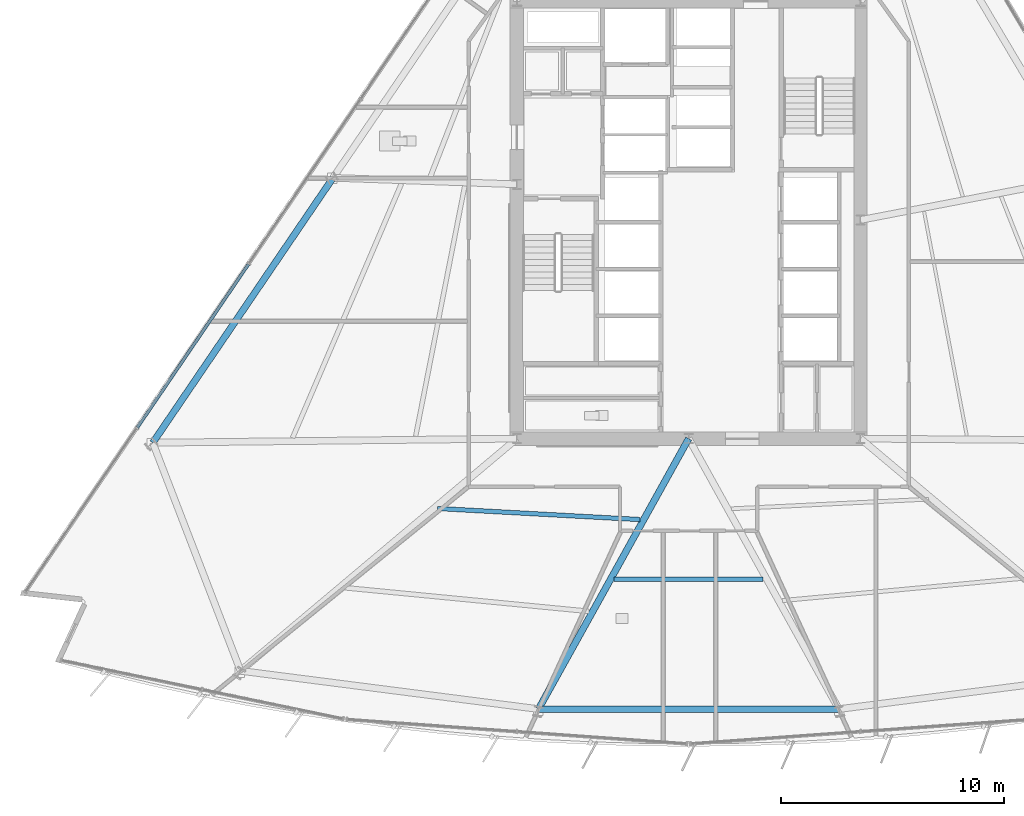
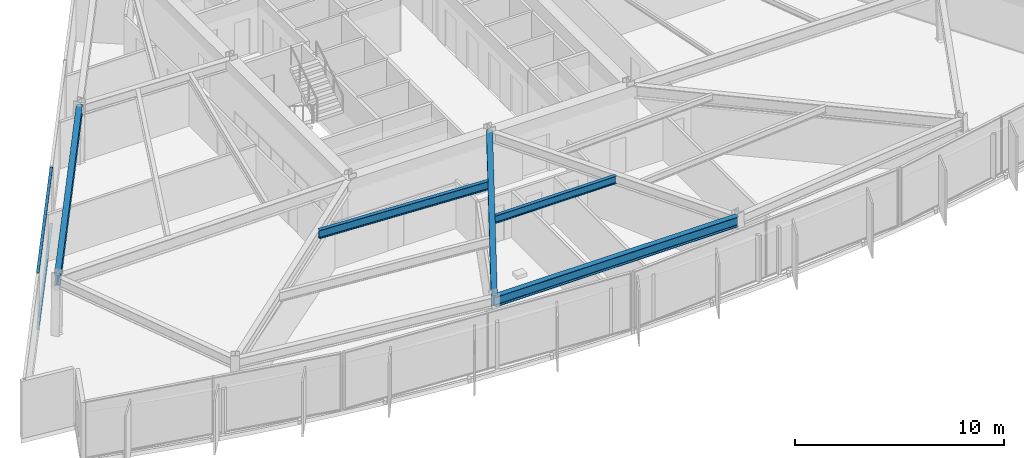
# One storey, part 3 of 18: 5 beams, 2 members, 1 element without a shape of its own.
"""IFC4 building model written with IfcOpenShell, lengths in metres."""

import ifcopenshell
import ifcopenshell.guid

model = None  # the IFC model being written
_history = None  # IfcOwnerHistory: only IFC2X3 demands one
_inside = {}  # id of a spatial element -> (the spatial element, [elements in it])
_under = {}  # id of a project, library or spatial element -> (it, [spatial elements below it])
_declared = {}  # id of a project -> (the project, [libraries it declares])
_typed = {}  # id of a type object -> (the type object, [elements of that type])
_made_of = {}  # id of a material, layer set ... -> (it, [elements and type objects made of it])


def new_model(schema):
    """Start an empty IFC model of exactly this schema.

    Asked for "IFC4X3", IfcOpenShell would pick the latest addendum, in which some entities
    have other attributes; the version numbers below select the first issue.
    IFC2X3 requires an IfcOwnerHistory on every rooted entity: one is made here for all.
    """
    global model, _history
    if schema == "IFC4X3":
        model = ifcopenshell.file(schema_version=(4, 3, 0, 0))
    else:
        model = ifcopenshell.file(schema=schema)
    _inside.clear()
    _under.clear()
    _declared.clear()
    _typed.clear()
    _made_of.clear()
    _history = None
    if model.schema == "IFC2X3":
        org = make("IfcOrganization", Name="unknown")
        user = make(
            "IfcPersonAndOrganization",
            ThePerson=make("IfcPerson", FamilyName="unknown"),
            TheOrganization=org,
        )
        app = make(
            "IfcApplication",
            ApplicationDeveloper=org,
            Version="unknown",
            ApplicationFullName="unknown",
            ApplicationIdentifier="unknown",
        )
        _history = make(
            "IfcOwnerHistory",
            OwningUser=user,
            OwningApplication=app,
            ChangeAction="ADDED",
            CreationDate=0,
        )
    return model


def make(cls, **values):
    """One entity of the class cls with the attributes given. An attribute that is None is left unset."""
    return model.create_entity(
        cls, **{name: value for name, value in values.items() if value is not None}
    )


def rooted(cls, **values):
    """An entity with a GlobalId (a new one), such as an element, a storey or a relation."""
    return make(cls, GlobalId=ifcopenshell.guid.new(), OwnerHistory=_history, **values)


def si_unit(unit_type, name, prefix=None):
    """IfcSIUnit, for example si_unit("LENGTHUNIT", "METRE", prefix="MILLI")."""
    return make("IfcSIUnit", UnitType=unit_type, Prefix=prefix, Name=name)


def assignment(units):
    """IfcUnitAssignment: the units of a project."""
    return None if units is None else make("IfcUnitAssignment", Units=units)


def point(xyz):
    """IfcCartesianPoint."""
    return None if xyz is None else make("IfcCartesianPoint", Coordinates=xyz)


def direction(xyz):
    """IfcDirection."""
    return None if xyz is None else make("IfcDirection", DirectionRatios=xyz)


def frame(location, z_axis=None, x_axis=None):
    """IfcAxis2Placement3D, a coordinate frame: its origin and axes. An axis left out is left unset."""
    return make(
        "IfcAxis2Placement3D",
        Location=point(location),
        Axis=direction(z_axis),
        RefDirection=direction(x_axis),
    )


def frame_2d(location, x_axis=None):
    """IfcAxis2Placement2D, a coordinate frame in the plane: its origin and x axis."""
    return make(
        "IfcAxis2Placement2D", Location=point(location), RefDirection=direction(x_axis)
    )


def origin():
    """The frame at (0, 0, 0) with its axes left unset."""
    return frame((0.0, 0.0, 0.0))


def origin_2d():
    """The frame at (0, 0) in the plane with its x axis left unset."""
    return frame_2d((0.0, 0.0))


def place(relative_to, where):
    """IfcLocalPlacement: puts the frame where relative to a parent placement (None: the world)."""
    return make(
        "IfcLocalPlacement", PlacementRelTo=relative_to, RelativePlacement=where
    )


def context(
    kind, dimensions, precision=None, world=None, true_north=None, identifier=None
):
    """IfcGeometricRepresentationContext, for example the 3D "Model" context."""
    return make(
        "IfcGeometricRepresentationContext",
        ContextIdentifier=identifier,
        ContextType=kind,
        CoordinateSpaceDimension=dimensions,
        Precision=precision,
        WorldCoordinateSystem=world,
        TrueNorth=true_north,
    )


def subcontext(parent, identifier, kind, view, scale=None):
    """IfcGeometricRepresentationSubContext, for example "Body" below "Model"."""
    return make(
        "IfcGeometricRepresentationSubContext",
        ContextIdentifier=identifier,
        ContextType=kind,
        ParentContext=parent,
        TargetScale=scale,
        TargetView=view,
    )


def project(units=None, contexts=None):
    """IfcProject with its units and contexts."""
    return rooted(
        "IfcProject",
        Name="project",
        RepresentationContexts=contexts,
        UnitsInContext=assignment(units),
    )


def spatial(cls, under=None, at=None, **own):
    """A site, building, storey or space (cls), placed at a placement, below another one or the project."""
    s = rooted(cls, ObjectPlacement=at, **own)
    if under is not None:
        _under.setdefault(under.id(), (under, []))[1].append(s)
    return s


def profile(cls, at=None, kind="AREA", **sizes):
    """A parametric profile (cls). Its sizes go by their IFC names, for example OverallWidth=200.0."""
    return make(cls, ProfileType=kind, Position=at, **sizes)


def rectangle(**sizes):
    """IfcRectangleProfileDef."""
    return profile("IfcRectangleProfileDef", **sizes)


def i_section(**sizes):
    """IfcIShapeProfileDef."""
    return profile("IfcIShapeProfileDef", **sizes)


def extrude(swept, where, along, depth):
    """IfcExtrudedAreaSolid: the profile swept, set in the frame where, extruded along a direction by depth."""
    return make(
        "IfcExtrudedAreaSolid",
        SweptArea=swept,
        Position=where,
        ExtrudedDirection=direction(along),
        Depth=depth,
    )


def shape(context_of_items, identifier, shape_type, items):
    """IfcShapeRepresentation: the items that make up one representation, for example the "Body"."""
    return make(
        "IfcShapeRepresentation",
        ContextOfItems=context_of_items,
        RepresentationIdentifier=identifier,
        RepresentationType=shape_type,
        Items=items,
    )


def material(Name=None, Category=None):
    """IfcMaterial."""
    return make("IfcMaterial", Name=Name, Category=Category)


def material_profile(
    of_material, cross_section, Name=None, Category=None, Priority=None
):
    """IfcMaterialProfile: a cross section and its material."""
    return make(
        "IfcMaterialProfile",
        Name=Name,
        Material=of_material,
        Profile=cross_section,
        Priority=Priority,
        Category=Category,
    )


def profile_set(profiles, Name=None, composite=None):
    """IfcMaterialProfileSet."""
    return make(
        "IfcMaterialProfileSet",
        Name=Name,
        MaterialProfiles=profiles,
        CompositeProfile=composite,
    )


def made_of(thing, what):
    """Note that an element or type object is made of a material, layer set ...; save() writes the relation."""
    if what is not None:
        _made_of.setdefault(what.id(), (what, []))[1].append(thing)
    return thing


def type_object(cls, material=None, **own):
    """A type object (cls), such as IfcWallType, which elements share."""
    return made_of(rooted(cls, **own), material)


def element(
    cls,
    number,
    at=None,
    inside=None,
    cuts=None,
    type_object=None,
    material=None,
    context=None,
    identifier="Body",
    shape_type=None,
    held_by="IfcProductDefinitionShape",
    body=None,
    shapes=None,
    **own,
):
    """One element of the class cls, such as IfcWall. Its Tag is "e" and its number.

    at: its placement. inside: the storey or other place that contains it. cuts: it is an
    opening in that element (IfcRelVoidsElement). A single representation is given by context,
    identifier, shape_type and body (its items); several are given by shapes. held_by: the class
    of the entity that holds the representations. save() writes the other relations.
    """
    e = rooted(cls, Tag="e%d" % number, ObjectPlacement=at, **own)
    if body is not None:
        shapes = [shape(context, identifier, shape_type, body)]
    if shapes is not None:
        e.Representation = make(held_by, Representations=shapes)
    if inside is not None:
        _inside.setdefault(inside.id(), (inside, []))[1].append(e)
    if cuts is not None:
        rooted(
            "IfcRelVoidsElement", RelatingBuildingElement=cuts, RelatedOpeningElement=e
        )
    if type_object is not None:
        _typed.setdefault(type_object.id(), (type_object, []))[1].append(e)
    return made_of(e, material)


def aggregate(whole, parts):
    """IfcRelAggregates: a whole, such as a stair, and the parts it consists of."""
    return rooted("IfcRelAggregates", RelatingObject=whole, RelatedObjects=parts)


def save(model, path):
    """Write the relations noted so far, then the file.

    IfcRelAggregates (storeys below a building ...), IfcRelContainedInSpatialStructure (elements
    in a storey), IfcRelDefinesByType, IfcRelAssociatesMaterial and IfcRelDeclares: one each for
    every whole, place, type object, material and project.
    """
    for whole, parts in _under.values():
        aggregate(whole, parts)
    for where, things in _inside.values():
        rooted(
            "IfcRelContainedInSpatialStructure",
            RelatedElements=things,
            RelatingStructure=where,
        )
    for kind, things in _typed.values():
        rooted("IfcRelDefinesByType", RelatedObjects=things, RelatingType=kind)
    for what, things in _made_of.values():
        rooted("IfcRelAssociatesMaterial", RelatedObjects=things, RelatingMaterial=what)
    for by, libraries in _declared.values():
        rooted("IfcRelDeclares", RelatingContext=by, RelatedDefinitions=libraries)
    model.write(path)


model = new_model("IFC4")

# Units and contexts
model_context = context("Model", 3, precision=1e-05, world=origin(), true_north=direction((0.0, 1.0)))
body_context = subcontext(model_context, "Body", "Model", "MODEL_VIEW")
ifc_project = project(units=[si_unit("LENGTHUNIT", "METRE"), si_unit("AREAUNIT", "SQUARE_METRE"), si_unit("VOLUMEUNIT", "CUBIC_METRE"), si_unit("PLANEANGLEUNIT", "RADIAN"), si_unit("MASSUNIT", "GRAM", prefix="KILO")], contexts=[model_context])

# Site, building, storey
site_placement = place(None, origin())
site = spatial("IfcSite", under=ifc_project, at=site_placement, CompositionType="ELEMENT")
building_placement = place(site_placement, origin())
building = spatial("IfcBuilding", under=site, at=building_placement, Name="Savorim Split Tower", CompositionType="ELEMENT")
storey_placement = place(building_placement, frame((0.0, 0.0, 37.199951171875)))
storey = spatial("IfcBuildingStorey", under=building, at=storey_placement, Name="L09", CompositionType="ELEMENT", Elevation=37.199951171875)

# Beams
ifc_material_1 = material(Name="Steel S355", Category="steel")
ifc_material_profile_1 = material_profile(ifc_material_1, i_section(OverallWidth=0.18994140625, OverallDepth=0.449951171875, WebThickness=0.009521484375, FlangeThickness=0.0146484375, FilletRadius=0.02099609375, at=origin_2d()), Name="IPE 450")
ifc_profile_set_1 = profile_set([ifc_material_profile_1], Name="Steel S355")
beam_type_1 = type_object("IfcBeamType", Name="BM-JST-IPE450", PredefinedType="JOIST", material=ifc_profile_set_1)
beam_1_placement = place(storey_placement, frame((-3.3408203125, -15.705078125, 3.125), z_axis=(1.0, 0.0, 0.0), x_axis=(0.0, 1.0, 0.0)))
element("IfcBeam", 1, at=beam_1_placement, inside=storey, type_object=beam_type_1, Name="L09 Secondary Floor Joist JS-03", PredefinedType="JOIST", context=body_context, shape_type="SweptSolid", body=[
    extrude(i_section(OverallWidth=0.18994140625, OverallDepth=0.449951171875, WebThickness=0.009521484375, FlangeThickness=0.0146484375, FilletRadius=0.02099609375, at=origin_2d()), origin(), (0.0, 0.0, 1.0), 6.681640625),
])
ifc_material_profile_2 = material_profile(ifc_material_1, i_section(OverallWidth=0.199951171875, OverallDepth=0.5, WebThickness=0.01025390625, FlangeThickness=0.01611328125, FilletRadius=0.02099609375, at=origin_2d()), Name="IPE 500")
ifc_profile_set_2 = profile_set([ifc_material_profile_2], Name="Steel S355")
beam_type_2 = type_object("IfcBeamType", Name="BM-JST-IPE500", PredefinedType="JOIST", material=ifc_profile_set_2)
beam_2_placement = place(storey_placement, frame((-11.256591796875, -12.531982421875, 3.10009765625), z_axis=(0.998505386436, -0.054653392006, 0.0), x_axis=(0.054653392006, 0.998505386436, 0.0)))
element("IfcBeam", 2, at=beam_2_placement, inside=storey, type_object=beam_type_2, Name="L09 Secondary Floor Joist JS-02", PredefinedType="JOIST", context=body_context, shape_type="SweptSolid", body=[
    extrude(i_section(OverallWidth=0.199951171875, OverallDepth=0.5, WebThickness=0.01025390625, FlangeThickness=0.01611328125, FilletRadius=0.02099609375, at=origin_2d()), origin(), (0.0, 0.0, 1.0), 9.090576171875),
])
ifc_material_profile_3 = material_profile(ifc_material_1, i_section(OverallWidth=0.300048828125, OverallDepth=0.60009765625, WebThickness=0.015380859375, FlangeThickness=0.030029296875, FilletRadius=0.027099609375, at=origin_2d()), Name="HEB 600")
ifc_profile_set_3 = profile_set([ifc_material_profile_3], Name="Steel S355")
beam_type_3 = type_object("IfcBeamType", Name="BM-PRI-HEB600", PredefinedType="BEAM", material=ifc_profile_set_3)
beam_3_placement = place(storey_placement, frame((-6.732421875, -21.525146484375, 3.050048828125), z_axis=(0.485432174121, 0.874274330132, 0.0), x_axis=(-0.874274330132, 0.485432174121, 0.0)))
element("IfcBeam", 3, at=beam_3_placement, inside=storey, type_object=beam_type_3, Name="L09 Primary Floor Girder RG-02", PredefinedType="BEAM", context=body_context, shape_type="SweptSolid", body=[
    extrude(i_section(OverallWidth=0.300048828125, OverallDepth=0.60009765625, WebThickness=0.015380859375, FlangeThickness=0.030029296875, FilletRadius=0.027099609375, at=origin_2d()), origin(), (0.0, 0.0, 1.0), 13.868896484375),
])
ifc_material_profile_4 = material_profile(ifc_material_1, i_section(OverallWidth=0.300048828125, OverallDepth=0.590087890625, WebThickness=0.012939453125, FlangeThickness=0.02490234375, FilletRadius=0.027099609375, at=origin_2d()), Name="HEA 600")
ifc_profile_set_4 = profile_set([ifc_material_profile_4], Name="Steel S355")
beam_type_4 = type_object("IfcBeamType", Name="BM-SPN-HEA600", PredefinedType="SPANDREL", material=ifc_profile_set_4)
beam_4_placement = place(storey_placement, frame((-6.732421875, -21.525146484375, 3.054931640625), z_axis=(1.0, 0.0, 0.0), x_axis=(0.0, 1.0, 0.0)))
element("IfcBeam", 4, at=beam_4_placement, inside=storey, type_object=beam_type_4, Name="L09 Perimeter Spandrel Beam 2", PredefinedType="SPANDREL", context=body_context, shape_type="SweptSolid", body=[
    extrude(i_section(OverallWidth=0.300048828125, OverallDepth=0.590087890625, WebThickness=0.012939453125, FlangeThickness=0.02490234375, FilletRadius=0.027099609375, at=origin_2d()), origin(), (0.0, 0.0, 1.0), 13.46484375),
])
beam_5_placement = place(storey_placement, frame((-15.944091796875, 2.29052734375, 3.054931640625), z_axis=(-0.562474610135, -0.826814557778, 0.0), x_axis=(0.826814557778, -0.562474610135, 0.0)))
element("IfcBeam", 5, at=beam_5_placement, inside=storey, type_object=beam_type_4, Name="L09 Perimeter Spandrel Beam 9", PredefinedType="SPANDREL", context=body_context, shape_type="SweptSolid", body=[
    extrude(i_section(OverallWidth=0.300048828125, OverallDepth=0.590087890625, WebThickness=0.012939453125, FlangeThickness=0.02490234375, FilletRadius=0.027099609375, at=origin_2d()), origin(), (0.0, 0.0, 1.0), 14.36181640625),
])

# Curtain wall, members
ifc_material_2 = material(Name="Dark Ceramic-Fritted Insulated Glass", Category="glass")
curtain_wall_type = type_object("IfcCurtainWallType", Name="CW-TWR-FRIT-A", PredefinedType="NOTDEFINED", material=ifc_material_2)
curtain_wall_placement = place(storey_placement, origin())
curtain_wall = element("IfcCurtainWall", 6, at=curtain_wall_placement, inside=storey, type_object=curtain_wall_type, Name="L09 Curtain Wall CW-L09-WEST", PredefinedType="NOTDEFINED")
ifc_material_3 = material(Name="Charcoal Anodised Aluminium", Category="aluminium")
ifc_material_profile_5 = material_profile(ifc_material_3, rectangle(XDim=0.139892578125, YDim=0.054931640625, at=origin_2d()), Name="ALU-T 140x55")
ifc_profile_set_5 = profile_set([ifc_material_profile_5], Name="Charcoal Anodised Aluminium")
member_type = type_object("IfcMemberType", Name="CWT-140x55", PredefinedType="USERDEFINED", material=ifc_profile_set_5)
member_1_placement = place(storey_placement, frame((-19.736328125, -1.5859375, 0.027587890625), z_axis=(-0.562463858464, -0.826821871942, 0.0), x_axis=(0.826821871942, -0.562463858464, 0.0)))
member_1 = element("IfcMember", 7, at=member_1_placement, type_object=member_type, Name="CW-02 transom 3.1", ObjectType="TRANSOM", PredefinedType="USERDEFINED", context=body_context, shape_type="SweptSolid", body=[
    extrude(rectangle(XDim=0.139892578125, YDim=0.054931640625, at=origin_2d()), origin(), (0.0, 0.0, 1.0), 8.854736328125),
])
member_2_placement = place(storey_placement, frame((-19.736328125, -1.5859375, 3.322509765625), z_axis=(-0.562463858464, -0.826821871942, 0.0), x_axis=(0.826821871942, -0.562463858464, 0.0)))
member_2 = element("IfcMember", 8, at=member_2_placement, type_object=member_type, Name="CW-02 transom 3.2", ObjectType="TRANSOM", PredefinedType="USERDEFINED", context=body_context, shape_type="SweptSolid", body=[
    extrude(rectangle(XDim=0.139892578125, YDim=0.054931640625, at=origin_2d()), origin(), (0.0, 0.0, 1.0), 8.854736328125),
])
aggregate(curtain_wall, [member_1, member_2])

save(model, "model.ifc")
